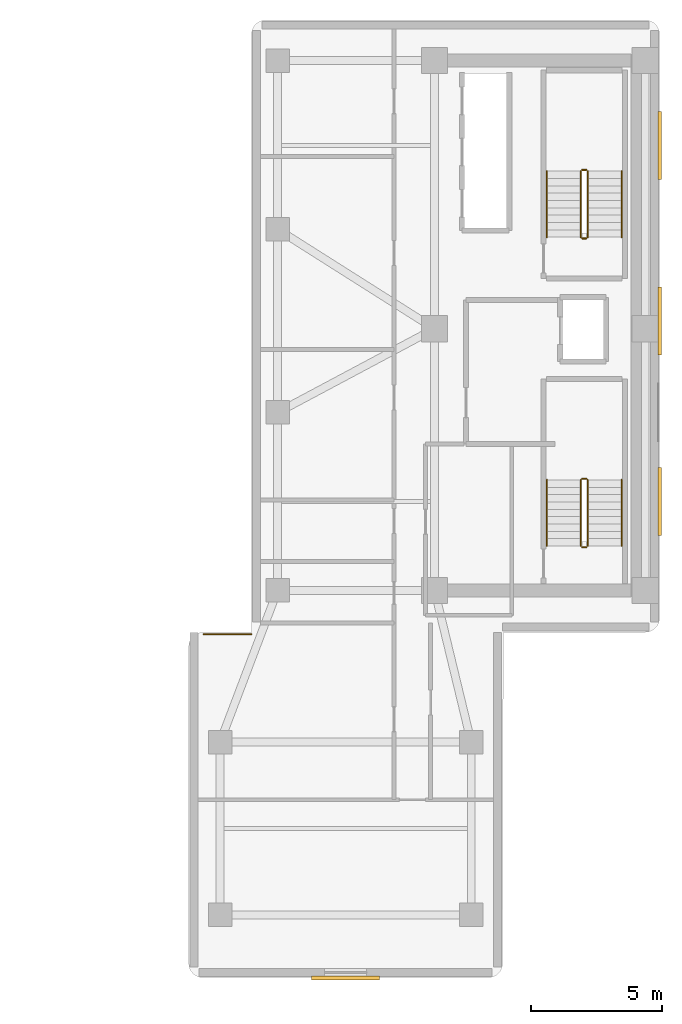
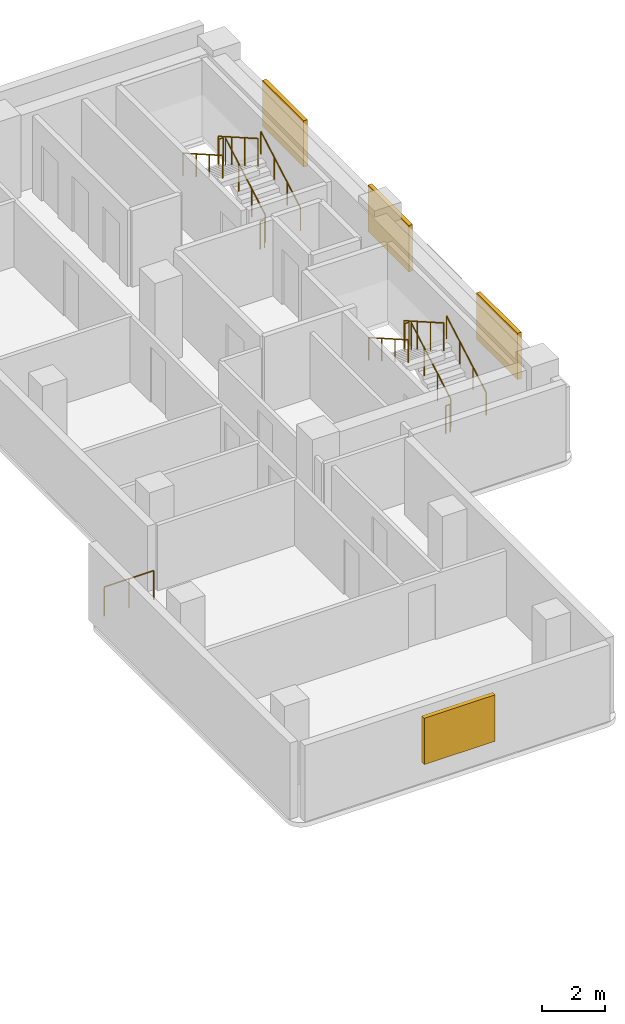
# One storey, part 15 of 15: 13 railings, 4 shading devices.
"""IFC4 building model written with IfcOpenShell, lengths in metres."""

from ifc_helpers import new_model, si_unit, direction, frame, origin, origin_2d, place, context, subcontext, project, spatial, rectangle, circle, extrude, material, layer, layer_set, type_object, element, save


model = new_model("IFC4")

# Units and contexts
model_context = context("Model", 3, precision=1e-05, world=origin(), true_north=direction((0.0, 1.0)))
body_context = subcontext(model_context, "Body", "Model", "MODEL_VIEW")
ifc_project = project(units=[si_unit("LENGTHUNIT", "METRE"), si_unit("AREAUNIT", "SQUARE_METRE"), si_unit("VOLUMEUNIT", "CUBIC_METRE"), si_unit("PLANEANGLEUNIT", "RADIAN"), si_unit("MASSUNIT", "GRAM", prefix="KILO")], contexts=[model_context])

# Site, building, storey
site_placement = place(None, origin())
site = spatial("IfcSite", under=ifc_project, at=site_placement, CompositionType="ELEMENT")
building_placement = place(site_placement, origin())
building = spatial("IfcBuilding", under=site, at=building_placement, Name="Kuzgunbayir Cultural Tower", CompositionType="ELEMENT")
storey_placement = place(building_placement, frame((0.0, 0.0, 72.39990234375)))
storey = spatial("IfcBuildingStorey", under=building, at=storey_placement, Name="L20", CompositionType="ELEMENT", Elevation=72.39990234375)

# Railings
ifc_material_1 = material(Name="Laminated Glass and Stainless Steel", Category="steel")
ifc_layer_1 = layer(ifc_material_1, 0.080078125)
ifc_layer_set_1 = layer_set([ifc_layer_1], Name="Laminated Glass and Stainless Steel")
railing_type_1 = type_object("IfcRailingType", Name="RLG-BAL-115", PredefinedType="BALUSTRADE", material=ifc_layer_set_1)
railing_1_placement = place(storey_placement, frame((55.780029296875, 20.320068359375, 0.0)))
element("IfcRailing", 1, at=railing_1_placement, inside=storey, type_object=railing_type_1, Name="L20 Perimeter Edge Guard 1", PredefinedType="BALUSTRADE", context=body_context, shape_type="SweptSolid", body=[
    extrude(circle(Radius=0.02392578125, at=origin_2d()), frame((0.0, 0.0, 1.1259765625), z_axis=(1.0, 0.0, 0.0), x_axis=(0.0, 1.0, 0.0)), (0.0, 0.0, 1.0), 1.820068359375),
    extrude(circle(Radius=0.02099609375, at=origin_2d()), origin(), (0.0, 0.0, 1.0), 1.101806640625),
    extrude(circle(Radius=0.02099609375, at=origin_2d()), frame((0.91015625, 0.0, 0.0)), (0.0, 0.0, 1.0), 1.101806640625),
    extrude(circle(Radius=0.02099609375, at=origin_2d()), frame((1.820068359375, 0.0, 0.0)), (0.0, 0.0, 1.0), 1.101806640625),
])
ifc_material_2 = material(Name="Brushed Stainless Steel", Category="steel")
ifc_layer_2 = layer(ifc_material_2, 0.050048828125)
ifc_layer_set_2 = layer_set([ifc_layer_2], Name="Brushed Stainless Steel")
railing_type_2 = type_object("IfcRailingType", Name="RLG-STAIR-HANDRAIL", PredefinedType="HANDRAIL", material=ifc_layer_set_2)
railing_2_placement = place(storey_placement, frame((71.75, 23.699951171875, 0.16015625)))
element("IfcRailing", 2, at=railing_2_placement, inside=storey, type_object=railing_type_2, Name="L20 ST-3 stair handrail 1", PredefinedType="HANDRAIL", context=body_context, shape_type="SweptSolid", body=[
    extrude(circle(Radius=0.02392578125, at=origin_2d()), frame((0.0, 0.0, 0.8759765625), z_axis=(0.0, 0.868253494771, 0.496120820787), x_axis=(-1.0, 0.0, 0.0)), (0.0, 0.0, 1.0), 2.90234375),
    extrude(circle(Radius=0.02099609375, at=origin_2d()), origin(), (0.0, 0.0, 1.0), 0.851806640625),
    extrude(circle(Radius=0.02099609375, at=origin_2d()), frame((0.0, 0.840087890625, 0.47998046875)), (0.0, 0.0, 1.0), 0.851806640625),
    extrude(circle(Radius=0.02099609375, at=origin_2d()), frame((0.0, 1.679931640625, 0.9599609375)), (0.0, 0.0, 1.0), 0.851806640625),
    extrude(circle(Radius=0.02099609375, at=origin_2d()), frame((0.0, 2.52001953125, 1.43994140625)), (0.0, 0.0, 1.0), 0.851806640625),
])
railing_3_placement = place(storey_placement, frame((68.889892578125, 26.219970703125, 1.760009765625)))
element("IfcRailing", 3, at=railing_3_placement, inside=storey, type_object=railing_type_2, Name="L20 ST-3 stair handrail 2", PredefinedType="HANDRAIL", context=body_context, shape_type="SweptSolid", body=[
    extrude(circle(Radius=0.02392578125, at=origin_2d()), frame((0.0, 0.0, 0.8759765625), z_axis=(0.0, -0.868217259934, 0.496184229447), x_axis=(1.0, 0.0, 0.0)), (0.0, 0.0, 1.0), 2.902587890625),
    extrude(circle(Radius=0.02099609375, at=origin_2d()), origin(), (0.0, 0.0, 1.0), 0.851806640625),
    extrude(circle(Radius=0.02099609375, at=origin_2d()), frame((0.0, -0.840087890625, 0.47998046875)), (0.0, 0.0, 1.0), 0.851806640625),
    extrude(circle(Radius=0.02099609375, at=origin_2d()), frame((0.0, -1.679931640625, 0.960205078125)), (0.0, 0.0, 1.0), 0.851806640625),
    extrude(circle(Radius=0.02099609375, at=origin_2d()), frame((0.0, -2.52001953125, 1.440185546875)), (0.0, 0.0, 1.0), 0.851806640625),
])
railing_4_placement = place(storey_placement, frame((71.75, 35.5, 0.16015625)))
element("IfcRailing", 4, at=railing_4_placement, inside=storey, type_object=railing_type_2, Name="L20 ST-4 stair handrail 1", PredefinedType="HANDRAIL", context=body_context, shape_type="SweptSolid", body=[
    extrude(circle(Radius=0.02392578125, at=origin_2d()), frame((0.0, 0.0, 0.8759765625), z_axis=(0.0, 0.868253494771, 0.496120820787), x_axis=(-1.0, 0.0, 0.0)), (0.0, 0.0, 1.0), 2.90234375),
    extrude(circle(Radius=0.02099609375, at=origin_2d()), origin(), (0.0, 0.0, 1.0), 0.851806640625),
    extrude(circle(Radius=0.02099609375, at=origin_2d()), frame((0.0, 0.840087890625, 0.47998046875)), (0.0, 0.0, 1.0), 0.851806640625),
    extrude(circle(Radius=0.02099609375, at=origin_2d()), frame((0.0, 1.679931640625, 0.9599609375)), (0.0, 0.0, 1.0), 0.851806640625),
    extrude(circle(Radius=0.02099609375, at=origin_2d()), frame((0.0, 2.52001953125, 1.43994140625)), (0.0, 0.0, 1.0), 0.851806640625),
])
railing_5_placement = place(storey_placement, frame((68.889892578125, 38.02001953125, 1.760009765625)))
element("IfcRailing", 5, at=railing_5_placement, inside=storey, type_object=railing_type_2, Name="L20 ST-4 stair handrail 2", PredefinedType="HANDRAIL", context=body_context, shape_type="SweptSolid", body=[
    extrude(circle(Radius=0.02392578125, at=origin_2d()), frame((0.0, 0.0, 0.8759765625), z_axis=(0.0, -0.868217259934, 0.496184229447), x_axis=(1.0, 0.0, 0.0)), (0.0, 0.0, 1.0), 2.902587890625),
    extrude(circle(Radius=0.02099609375, at=origin_2d()), origin(), (0.0, 0.0, 1.0), 0.851806640625),
    extrude(circle(Radius=0.02099609375, at=origin_2d()), frame((0.0, -0.840087890625, 0.47998046875)), (0.0, 0.0, 1.0), 0.851806640625),
    extrude(circle(Radius=0.02099609375, at=origin_2d()), frame((0.0, -1.679931640625, 0.960205078125)), (0.0, 0.0, 1.0), 0.851806640625),
    extrude(circle(Radius=0.02099609375, at=origin_2d()), frame((0.0, -2.52001953125, 1.440185546875)), (0.0, 0.0, 1.0), 0.851806640625),
])
ifc_material_3 = material(Name="Painted Steel Balustrade", Category="steel")
ifc_layer_3 = layer(ifc_material_3, 0.06005859375)
ifc_layer_set_3 = layer_set([ifc_layer_3], Name="Painted Steel Balustrade")
railing_type_3 = type_object("IfcRailingType", Name="RLG-WELL-GUARD", PredefinedType="GUARDRAIL", material=ifc_layer_set_3)
railing_6_placement = place(storey_placement, frame((70.449951171875, 23.699951171875, 0.16015625)))
element("IfcRailing", 6, at=railing_6_placement, inside=storey, type_object=railing_type_3, Name="L20 ST-3 stair guard 1", PredefinedType="GUARDRAIL", context=body_context, shape_type="SweptSolid", body=[
    extrude(circle(Radius=0.02392578125, at=origin_2d()), frame((0.0, 0.0, 1.076171875), z_axis=(0.0, 0.868253494771, 0.496120820787), x_axis=(-1.0, 0.0, 0.0)), (0.0, 0.0, 1.0), 2.90234375),
    extrude(circle(Radius=0.02099609375, at=origin_2d()), origin(), (0.0, 0.0, 1.0), 1.052001953125),
    extrude(circle(Radius=0.02099609375, at=origin_2d()), frame((0.0, 0.840087890625, 0.47998046875)), (0.0, 0.0, 1.0), 1.052001953125),
    extrude(circle(Radius=0.02099609375, at=origin_2d()), frame((0.0, 1.679931640625, 0.9599609375)), (0.0, 0.0, 1.0), 1.052001953125),
    extrude(circle(Radius=0.02099609375, at=origin_2d()), frame((0.0, 2.52001953125, 1.43994140625)), (0.0, 0.0, 1.0), 1.052001953125),
])
railing_7_placement = place(storey_placement, frame((70.39990234375, 26.27001953125, 1.60009765625)))
element("IfcRailing", 7, at=railing_7_placement, inside=storey, type_object=railing_type_3, Name="L20 ST-3 stair guard 2", PredefinedType="GUARDRAIL", context=body_context, shape_type="SweptSolid", body=[
    extrude(circle(Radius=0.02392578125, at=origin_2d()), frame((0.0, 0.0, 1.076171875), z_axis=(-1.0, 0.0, 0.0), x_axis=(0.0, -1.0, 0.0)), (0.0, 0.0, 1.0), 0.159912109375),
    extrude(circle(Radius=0.02099609375, at=origin_2d()), origin(), (0.0, 0.0, 1.0), 1.052001953125),
    extrude(circle(Radius=0.02099609375, at=origin_2d()), frame((-0.159912109375, 0.0, 0.0)), (0.0, 0.0, 1.0), 1.052001953125),
])
railing_8_placement = place(storey_placement, frame((70.18994140625, 26.219970703125, 1.760009765625)))
element("IfcRailing", 8, at=railing_8_placement, inside=storey, type_object=railing_type_3, Name="L20 ST-3 stair guard 3", PredefinedType="GUARDRAIL", context=body_context, shape_type="SweptSolid", body=[
    extrude(circle(Radius=0.02392578125, at=origin_2d()), frame((0.0, 0.0, 1.076171875), z_axis=(0.0, -0.868217259934, 0.496184229447), x_axis=(1.0, 0.0, 0.0)), (0.0, 0.0, 1.0), 2.902587890625),
    extrude(circle(Radius=0.02099609375, at=origin_2d()), origin(), (0.0, 0.0, 1.0), 1.052001953125),
    extrude(circle(Radius=0.02099609375, at=origin_2d()), frame((0.0, -0.840087890625, 0.47998046875)), (0.0, 0.0, 1.0), 1.052001953125),
    extrude(circle(Radius=0.02099609375, at=origin_2d()), frame((0.0, -1.679931640625, 0.960205078125)), (0.0, 0.0, 1.0), 1.052001953125),
    extrude(circle(Radius=0.02099609375, at=origin_2d()), frame((0.0, -2.52001953125, 1.440185546875)), (0.0, 0.0, 1.0), 1.052001953125),
])
railing_9_placement = place(storey_placement, frame((70.39990234375, 23.64990234375, 0.0)))
element("IfcRailing", 9, at=railing_9_placement, inside=storey, type_object=railing_type_3, Name="L20 ST-3 stair guard 4", PredefinedType="GUARDRAIL", context=body_context, shape_type="SweptSolid", body=[
    extrude(circle(Radius=0.02392578125, at=origin_2d()), frame((0.0, 0.0, 1.076171875), z_axis=(-1.0, 0.0, 0.0), x_axis=(0.0, -1.0, 0.0)), (0.0, 0.0, 1.0), 0.159912109375),
    extrude(circle(Radius=0.02099609375, at=origin_2d()), origin(), (0.0, 0.0, 1.0), 1.052001953125),
    extrude(circle(Radius=0.02099609375, at=origin_2d()), frame((-0.159912109375, 0.0, 0.0)), (0.0, 0.0, 1.0), 1.052001953125),
])
railing_10_placement = place(storey_placement, frame((70.449951171875, 35.5, 0.16015625)))
element("IfcRailing", 10, at=railing_10_placement, inside=storey, type_object=railing_type_3, Name="L20 ST-4 stair guard 1", PredefinedType="GUARDRAIL", context=body_context, shape_type="SweptSolid", body=[
    extrude(circle(Radius=0.02392578125, at=origin_2d()), frame((0.0, 0.0, 1.076171875), z_axis=(0.0, 0.868253494771, 0.496120820787), x_axis=(-1.0, 0.0, 0.0)), (0.0, 0.0, 1.0), 2.90234375),
    extrude(circle(Radius=0.02099609375, at=origin_2d()), origin(), (0.0, 0.0, 1.0), 1.052001953125),
    extrude(circle(Radius=0.02099609375, at=origin_2d()), frame((0.0, 0.840087890625, 0.47998046875)), (0.0, 0.0, 1.0), 1.052001953125),
    extrude(circle(Radius=0.02099609375, at=origin_2d()), frame((0.0, 1.679931640625, 0.9599609375)), (0.0, 0.0, 1.0), 1.052001953125),
    extrude(circle(Radius=0.02099609375, at=origin_2d()), frame((0.0, 2.52001953125, 1.43994140625)), (0.0, 0.0, 1.0), 1.052001953125),
])
railing_11_placement = place(storey_placement, frame((70.39990234375, 38.070068359375, 1.60009765625)))
element("IfcRailing", 11, at=railing_11_placement, inside=storey, type_object=railing_type_3, Name="L20 ST-4 stair guard 2", PredefinedType="GUARDRAIL", context=body_context, shape_type="SweptSolid", body=[
    extrude(circle(Radius=0.02392578125, at=origin_2d()), frame((0.0, 0.0, 1.076171875), z_axis=(-1.0, 0.0, 0.0), x_axis=(0.0, -1.0, 0.0)), (0.0, 0.0, 1.0), 0.159912109375),
    extrude(circle(Radius=0.02099609375, at=origin_2d()), origin(), (0.0, 0.0, 1.0), 1.052001953125),
    extrude(circle(Radius=0.02099609375, at=origin_2d()), frame((-0.159912109375, 0.0, 0.0)), (0.0, 0.0, 1.0), 1.052001953125),
])
railing_12_placement = place(storey_placement, frame((70.18994140625, 38.02001953125, 1.760009765625)))
element("IfcRailing", 12, at=railing_12_placement, inside=storey, type_object=railing_type_3, Name="L20 ST-4 stair guard 3", PredefinedType="GUARDRAIL", context=body_context, shape_type="SweptSolid", body=[
    extrude(circle(Radius=0.02392578125, at=origin_2d()), frame((0.0, 0.0, 1.076171875), z_axis=(0.0, -0.868217259934, 0.496184229447), x_axis=(1.0, 0.0, 0.0)), (0.0, 0.0, 1.0), 2.902587890625),
    extrude(circle(Radius=0.02099609375, at=origin_2d()), origin(), (0.0, 0.0, 1.0), 1.052001953125),
    extrude(circle(Radius=0.02099609375, at=origin_2d()), frame((0.0, -0.840087890625, 0.47998046875)), (0.0, 0.0, 1.0), 1.052001953125),
    extrude(circle(Radius=0.02099609375, at=origin_2d()), frame((0.0, -1.679931640625, 0.960205078125)), (0.0, 0.0, 1.0), 1.052001953125),
    extrude(circle(Radius=0.02099609375, at=origin_2d()), frame((0.0, -2.52001953125, 1.440185546875)), (0.0, 0.0, 1.0), 1.052001953125),
])
railing_13_placement = place(storey_placement, frame((70.39990234375, 35.449951171875, 0.0)))
element("IfcRailing", 13, at=railing_13_placement, inside=storey, type_object=railing_type_3, Name="L20 ST-4 stair guard 4", PredefinedType="GUARDRAIL", context=body_context, shape_type="SweptSolid", body=[
    extrude(circle(Radius=0.02392578125, at=origin_2d()), frame((0.0, 0.0, 1.076171875), z_axis=(-1.0, 0.0, 0.0), x_axis=(0.0, -1.0, 0.0)), (0.0, 0.0, 1.0), 0.159912109375),
    extrude(circle(Radius=0.02099609375, at=origin_2d()), origin(), (0.0, 0.0, 1.0), 1.052001953125),
    extrude(circle(Radius=0.02099609375, at=origin_2d()), frame((-0.159912109375, 0.0, 0.0)), (0.0, 0.0, 1.0), 1.052001953125),
])

# Shading devices
ifc_material_4 = material(Name="Perforated Bronze-Anodised Aluminium", Category="aluminium")
shading_device_type_1 = type_object("IfcShadingDeviceType", Name="SHD-SOLAR-BRONZE", PredefinedType="JALOUSIE", material=ifc_material_4)
for number, where, z_axis, x_axis, name in (
    (14, (73.199951171875, 25.39990234375, 0.80029296875), (0.0, 0.0, 1.0), (1.0, 0.0, 0.0), "L20 Companion East Bronze Solar Screen 25"),
    (15, (73.199951171875, 32.300048828125, 0.80029296875), (0.0, 0.0, 1.0), (1.0, 0.0, 0.0), "L20 Companion East Bronze Solar Screen 32"),
    (16, (73.199951171875, 39.0, 0.80029296875), (0.0, 0.0, 1.0), (1.0, 0.0, 0.0), "L20 Companion East Bronze Solar Screen 39"),
):
    element("IfcShadingDevice", number, at=place(storey_placement, frame(where, z_axis=z_axis, x_axis=x_axis)), inside=storey, type_object=shading_device_type_1, Name=name, PredefinedType="JALOUSIE", context=body_context, shape_type="SweptSolid", body=[
        extrude(rectangle(XDim=0.139892578125, YDim=2.60009765625, at=origin_2d()), origin(), (0.0, 0.0, 1.0), 1.800048828125),
    ])
ifc_material_5 = material(Name="Warm Terracotta Ceramic Baguette", Category="masonry")
shading_device_type_2 = type_object("IfcShadingDeviceType", Name="SHD-SOLAR-CERAMIC", PredefinedType="SHUTTER", material=ifc_material_5)
shading_device_placement = place(storey_placement, frame((61.199951171875, 7.18994140625, 0.80029296875), z_axis=(0.0, 0.0, 1.0), x_axis=(1.0, 0.0, 0.0)))
element("IfcShadingDevice", 17, at=shading_device_placement, inside=storey, type_object=shading_device_type_2, Name="L20 Companion Ceramic Solar Screen S1", PredefinedType="SHUTTER", context=body_context, shape_type="SweptSolid", body=[
    extrude(rectangle(XDim=2.60009765625, YDim=0.159912109375, at=origin_2d()), origin(), (0.0, 0.0, 1.0), 1.800048828125),
])

save(model, "model.ifc")
